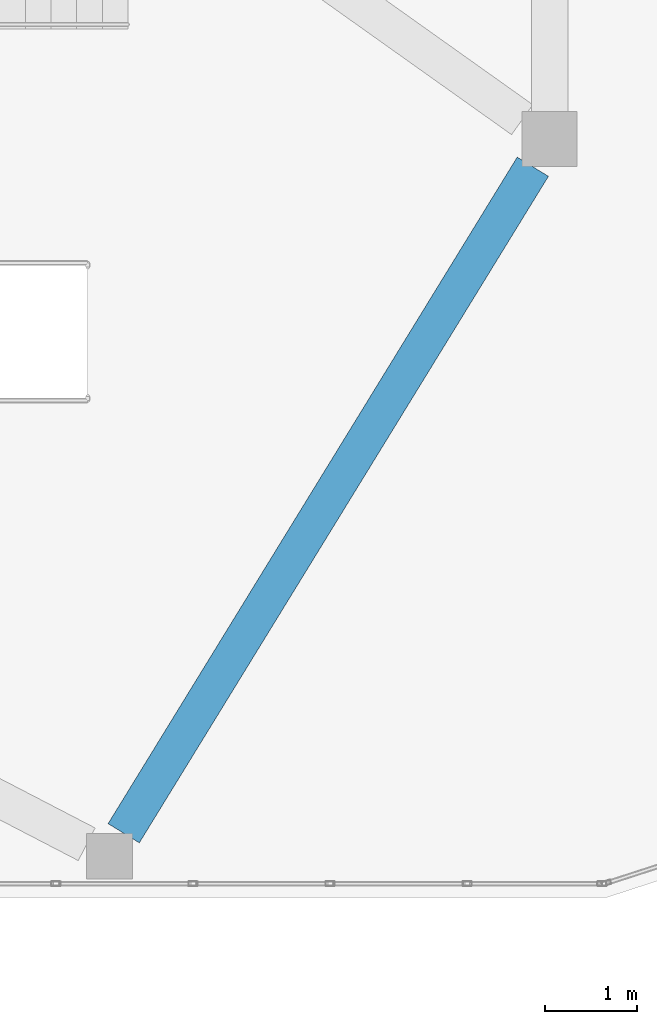
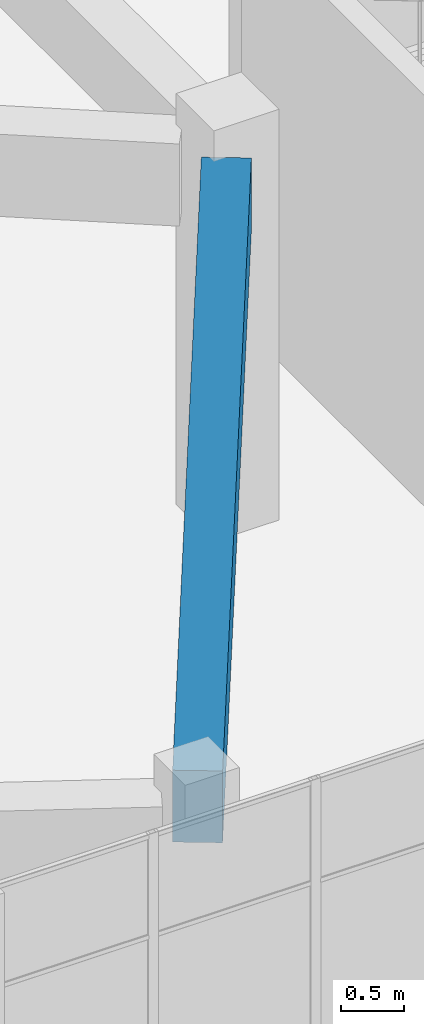
# One storey, part 11 of 66: 1 beam.
"""IFC4 building model written with IfcOpenShell, lengths in metres."""

from ifc_helpers import new_model, si_unit, direction, frame, origin, origin_2d, place, context, subcontext, project, spatial, rectangle, extrude, material, material_profile, profile_set, type_object, element, save


model = new_model("IFC4")

# Units and contexts
model_context = context("Model", 3, precision=1e-05, world=origin(), true_north=direction((0.0, 1.0)))
body_context = subcontext(model_context, "Body", "Model", "MODEL_VIEW")
ifc_project = project(units=[si_unit("LENGTHUNIT", "METRE"), si_unit("AREAUNIT", "SQUARE_METRE"), si_unit("VOLUMEUNIT", "CUBIC_METRE"), si_unit("PLANEANGLEUNIT", "RADIAN"), si_unit("MASSUNIT", "GRAM", prefix="KILO")], contexts=[model_context])

# Site, building, storey
site_placement = place(None, origin())
site = spatial("IfcSite", under=ifc_project, at=site_placement, CompositionType="ELEMENT")
building_placement = place(site_placement, origin())
building = spatial("IfcBuilding", under=site, at=building_placement, Name="Tuart Plaza Theatre", CompositionType="ELEMENT")
storey_placement = place(building_placement, frame((0.0, 0.0, 5.5)))
storey = spatial("IfcBuildingStorey", under=building, at=storey_placement, Name="L01", CompositionType="ELEMENT", Elevation=5.5)

# Beam
ifc_material = material(Name="Concrete N40 (40 MPa)", Category="concrete")
ifc_material_profile = material_profile(ifc_material, rectangle(XDim=0.39990234375, YDim=0.699951171875, at=origin_2d()), Name="BEAM 400x700 Concrete N40 (40 MPa)")
ifc_profile_set = profile_set([ifc_material_profile], Name="Concrete N40 (40 MPa)")
beam_type = type_object("IfcBeamType", Name="BEAM 400x700 Concrete N40 (40 MPa)", PredefinedType="BEAM", material=ifc_profile_set)
beam_placement = place(storey_placement, frame((100.353515625, 42.030029296875, 3.35009765625), z_axis=(0.523123007829, 0.852257190454, 0.0), x_axis=(-0.852257190454, 0.523123007829, 0.0)))
element("IfcBeam", 1, at=beam_placement, inside=storey, type_object=beam_type, Name="RB466", PredefinedType="BEAM", context=body_context, shape_type="SweptSolid", body=[
    extrude(rectangle(XDim=0.39990234375, YDim=0.699951171875, at=origin_2d()), origin(), (0.0, 0.0, 1.0), 8.5302734375),
])

save(model, "model.ifc")
